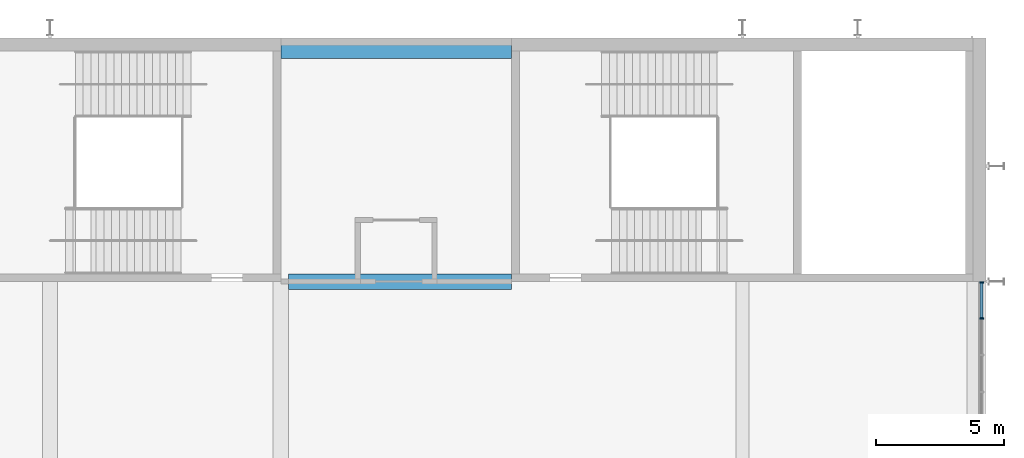
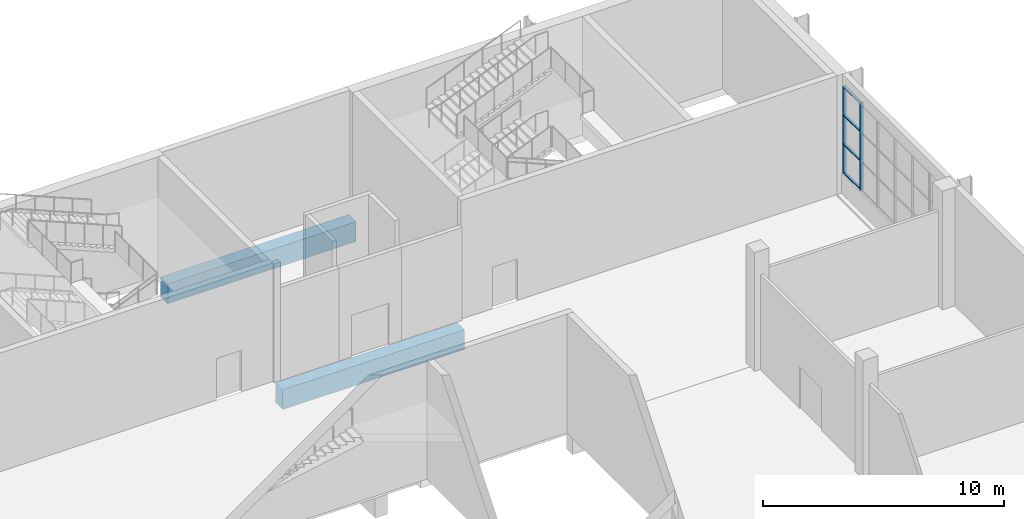
# One storey, part 27 of 89: 6 members, 2 beams, 1 element without a shape of its own.
"""IFC4 building model written with IfcOpenShell, lengths in metres."""

from ifc_helpers import new_model, si_unit, direction, frame, origin, origin_2d, place, context, subcontext, project, spatial, rectangle, extrude, material, material_profile, profile_set, type_object, element, aggregate, save


model = new_model("IFC4")

# Units and contexts
model_context = context("Model", 3, precision=1e-05, world=origin(), true_north=direction((0.0, 1.0)))
body_context = subcontext(model_context, "Body", "Model", "MODEL_VIEW")
ifc_project = project(units=[si_unit("LENGTHUNIT", "METRE"), si_unit("AREAUNIT", "SQUARE_METRE"), si_unit("VOLUMEUNIT", "CUBIC_METRE"), si_unit("PLANEANGLEUNIT", "RADIAN"), si_unit("MASSUNIT", "GRAM", prefix="KILO")], contexts=[model_context])

# Site, building, storey
site_placement = place(None, origin())
site = spatial("IfcSite", under=ifc_project, at=site_placement, CompositionType="ELEMENT")
building_placement = place(site_placement, origin())
building = spatial("IfcBuilding", under=site, at=building_placement, Name="Silverbay Arena", CompositionType="ELEMENT")
storey_placement = place(building_placement, frame((0.0, 0.0, 22.0)))
storey = spatial("IfcBuildingStorey", under=building, at=storey_placement, Name="L03", CompositionType="ELEMENT", Elevation=22.0)

# Curtain wall, members
ifc_material_1 = material(Name="Aluminium framed curtain wall", Category="aluminium")
curtain_wall_type = type_object("IfcCurtainWallType", Name="Curtain wall 8600 x 4400", PredefinedType="NOTDEFINED", material=ifc_material_1)
curtain_wall_placement = place(storey_placement, origin())
curtain_wall = element("IfcCurtainWall", 1, at=curtain_wall_placement, inside=storey, type_object=curtain_wall_type, Name="East curtain wall L03 bay 13", PredefinedType="NOTDEFINED")
ifc_material_2 = material(Name="Aluminium", Category="aluminium")
ifc_material_profile_1 = material_profile(ifc_material_2, rectangle(XDim=0.159912109375, YDim=0.06005859375, at=origin_2d()), Name="Mullion 60 x 160")
ifc_profile_set_1 = profile_set([ifc_material_profile_1], Name="Aluminium")
member_type_1 = type_object("IfcMemberType", Name="Mullion 60 x 160", PredefinedType="MULLION", material=ifc_profile_set_1)
member_1_placement = place(storey_placement, frame((207.330078125, 133.566650390625, 1.0), z_axis=(0.0, 0.0, 1.0), x_axis=(-1.0, 0.0, 0.0)))
member_1 = element("IfcMember", 2, at=member_1_placement, type_object=member_type_1, Name="CW12 mullion 6", PredefinedType="MULLION", context=body_context, shape_type="SweptSolid", body=[
    extrude(rectangle(XDim=0.159912109375, YDim=0.06005859375, at=origin_2d()), origin(), (0.0, 0.0, 1.0), 4.39990234375),
])
member_2_placement = place(storey_placement, frame((207.330078125, 134.969970703125, 1.0), z_axis=(0.0, 0.0, 1.0), x_axis=(-1.0, 0.0, 0.0)))
member_2 = element("IfcMember", 3, at=member_2_placement, type_object=member_type_1, Name="CW12 mullion 7", PredefinedType="MULLION", context=body_context, shape_type="SweptSolid", body=[
    extrude(rectangle(XDim=0.159912109375, YDim=0.06005859375, at=origin_2d()), origin(), (0.0, 0.0, 1.0), 4.39990234375),
])

# Beams
ifc_material_3 = material(Name="Concrete Grade C45", Category="concrete")
ifc_material_profile_2 = material_profile(ifc_material_3, rectangle(XDim=0.60009765625, YDim=1.0, at=origin_2d()), Name="RC 600x1000")
ifc_profile_set_2 = profile_set([ifc_material_profile_2], Name="Concrete Grade C45")
beam_type = type_object("IfcBeamType", Name="RC beam 600x1000", PredefinedType="BEAM", material=ifc_profile_set_2)
beam_1_placement = place(storey_placement, frame((180.300048828125, 135.0, -0.85009765625), z_axis=(1.0, 0.0, 0.0), x_axis=(0.0, 1.0, 0.0)))
element("IfcBeam", 4, at=beam_1_placement, inside=storey, type_object=beam_type, Name="Floor beam L03 077", PredefinedType="BEAM", context=body_context, shape_type="SweptSolid", body=[
    extrude(rectangle(XDim=0.60009765625, YDim=1.0, at=origin_2d()), origin(), (0.0, 0.0, 1.0), 8.699951171875),
])
beam_2_placement = place(storey_placement, frame((180.0, 144.0, -0.85009765625), z_axis=(1.0, 0.0, 0.0), x_axis=(0.0, 1.0, 0.0)))
element("IfcBeam", 5, at=beam_2_placement, inside=storey, type_object=beam_type, Name="Floor beam L03 082", PredefinedType="BEAM", context=body_context, shape_type="SweptSolid", body=[
    extrude(rectangle(XDim=0.60009765625, YDim=1.0, at=origin_2d()), origin(), (0.0, 0.0, 1.0), 9.0),
])

# Member
ifc_material_4 = material(Name="Aluminium", Category="aluminium")
ifc_material_profile_3 = material_profile(ifc_material_4, rectangle(XDim=0.1201171875, YDim=0.050048828125, at=origin_2d()), Name="Transom 50 x 120")
ifc_profile_set_3 = profile_set([ifc_material_profile_3], Name="Aluminium")
member_type_2 = type_object("IfcMemberType", Name="Transom 50 x 120", PredefinedType="USERDEFINED", material=ifc_profile_set_3)
member_3_placement = place(storey_placement, frame((207.330078125, 133.5966796875, 1.02490234375), z_axis=(0.0, 1.0, 0.0), x_axis=(-1.0, 0.0, 0.0)))
member_3 = element("IfcMember", 6, at=member_3_placement, type_object=member_type_2, Name="CW12 transom 6.1", ObjectType="TRANSOM", PredefinedType="USERDEFINED", context=body_context, shape_type="SweptSolid", body=[
    extrude(rectangle(XDim=0.1201171875, YDim=0.050048828125, at=origin_2d()), origin(), (0.0, 0.0, 1.0), 1.34326171875),
])

member_4_placement = place(storey_placement, frame((207.330078125, 133.5966796875, 2.466552734375), z_axis=(0.0, 1.0, 0.0), x_axis=(-1.0, 0.0, 0.0)))
member_4 = element("IfcMember", 7, at=member_4_placement, type_object=member_type_2, Name="CW12 transom 6.2", ObjectType="TRANSOM", PredefinedType="USERDEFINED", context=body_context, shape_type="SweptSolid", body=[
    extrude(rectangle(XDim=0.1201171875, YDim=0.050048828125, at=origin_2d()), origin(), (0.0, 0.0, 1.0), 1.34326171875),
])

member_5_placement = place(storey_placement, frame((207.330078125, 133.5966796875, 3.933349609375), z_axis=(0.0, 1.0, 0.0), x_axis=(-1.0, 0.0, 0.0)))
member_5 = element("IfcMember", 8, at=member_5_placement, type_object=member_type_2, Name="CW12 transom 6.3", ObjectType="TRANSOM", PredefinedType="USERDEFINED", context=body_context, shape_type="SweptSolid", body=[
    extrude(rectangle(XDim=0.1201171875, YDim=0.050048828125, at=origin_2d()), origin(), (0.0, 0.0, 1.0), 1.34326171875),
])

member_6_placement = place(storey_placement, frame((207.330078125, 133.5966796875, 5.375), z_axis=(0.0, 1.0, 0.0), x_axis=(-1.0, 0.0, 0.0)))
member_6 = element("IfcMember", 9, at=member_6_placement, type_object=member_type_2, Name="CW12 transom 6.4", ObjectType="TRANSOM", PredefinedType="USERDEFINED", context=body_context, shape_type="SweptSolid", body=[
    extrude(rectangle(XDim=0.1201171875, YDim=0.050048828125, at=origin_2d()), origin(), (0.0, 0.0, 1.0), 1.34326171875),
])

aggregate(curtain_wall, [member_1, member_2, member_3, member_4, member_5, member_6])

save(model, "model.ifc")
